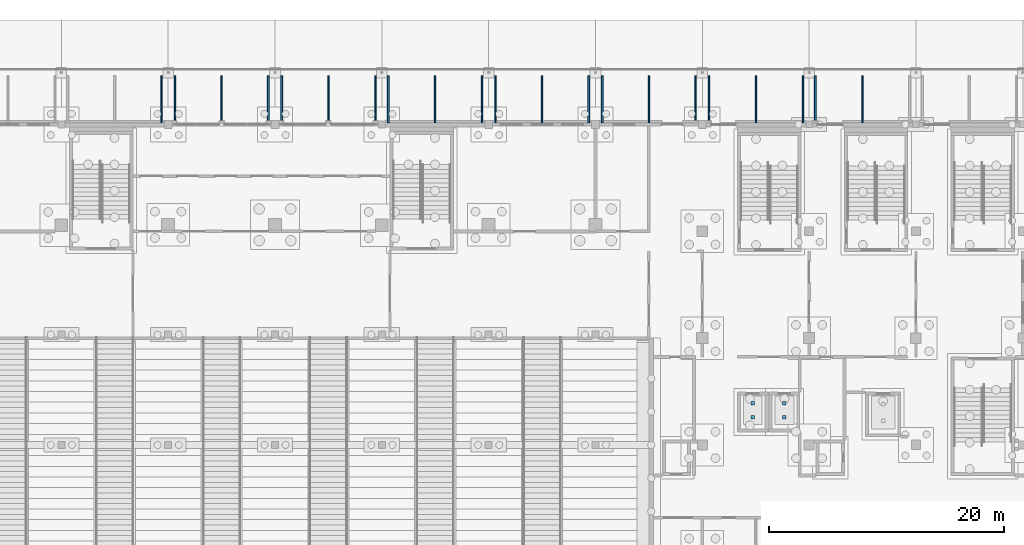
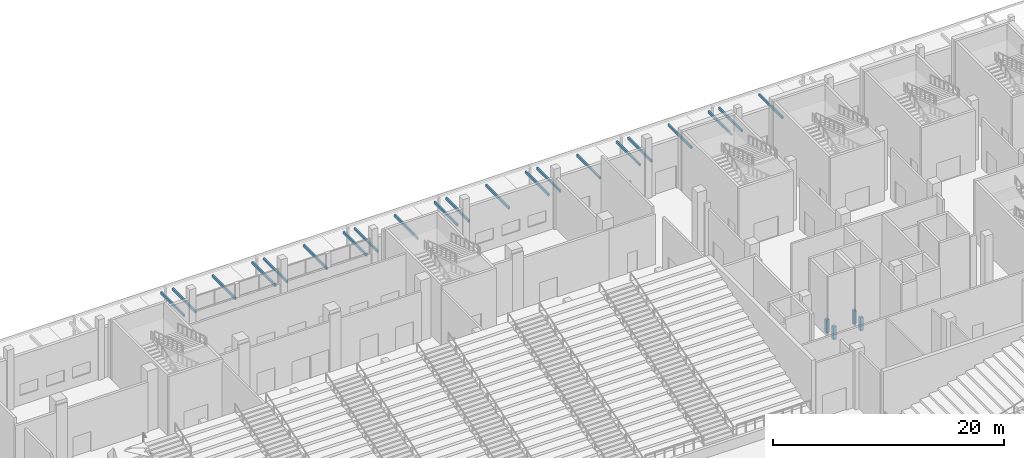
# One storey, part 98 of 129: 25 discrete accessories.
"""IFC4 building model written with IfcOpenShell, lengths in metres."""

from ifc_helpers import new_model, si_unit, direction, frame, origin, origin_2d, place, context, subcontext, project, spatial, rectangle, extrude, material, type_object, element, save


model = new_model("IFC4")

# Units and contexts
model_context = context("Model", 3, precision=1e-05, world=origin(), true_north=direction((0.0, 1.0)))
body_context = subcontext(model_context, "Body", "Model", "MODEL_VIEW")
ifc_project = project(units=[si_unit("LENGTHUNIT", "METRE"), si_unit("AREAUNIT", "SQUARE_METRE"), si_unit("VOLUMEUNIT", "CUBIC_METRE"), si_unit("PLANEANGLEUNIT", "RADIAN"), si_unit("MASSUNIT", "GRAM", prefix="KILO")], contexts=[model_context])

# Site, building, storey
site_placement = place(None, origin())
site = spatial("IfcSite", under=ifc_project, at=site_placement, CompositionType="ELEMENT")
building_placement = place(site_placement, origin())
building = spatial("IfcBuilding", under=site, at=building_placement, Name="Shirokan Park Arena", CompositionType="ELEMENT")
storey_placement = place(building_placement, origin())
storey = spatial("IfcBuildingStorey", under=building, at=storey_placement, Name="L00", CompositionType="ELEMENT", Elevation=0.0)

# Discrete accessories
ifc_material = material(Name="Steel S355", Category="steel")
discrete_accessory_type = type_object("IfcDiscreteAccessoryType", Name="Canopy bracket 150x250", PredefinedType="BRACKET", material=ifc_material)
for number, where, z_axis, x_axis, name in (
    (1, (122.85009765625, 111.35009765625, 3.35009765625), (0.0, 0.0, 1.0), (-1.0, 0.0, 0.0), "Canopy bracket north bay 3 2"),
    (2, (118.824951171875, 111.35009765625, 3.35009765625), (0.0, 0.0, 1.0), (-1.0, 0.0, 0.0), "Canopy bracket north bay 3 3"),
    (3, (117.77490234375, 111.35009765625, 3.35009765625), (0.0, 0.0, 1.0), (-1.0, 0.0, 0.0), "Canopy bracket north bay 4 1"),
    (4, (113.77490234375, 111.35009765625, 3.35009765625), (0.0, 0.0, 1.0), (-1.0, 0.0, 0.0), "Canopy bracket north bay 4 2"),
    (5, (109.77490234375, 111.35009765625, 3.35009765625), (0.0, 0.0, 1.0), (-1.0, 0.0, 0.0), "Canopy bracket north bay 4 3"),
    (6, (108.625, 111.35009765625, 3.35009765625), (0.0, 0.0, 1.0), (-1.0, 0.0, 0.0), "Canopy bracket north bay 5 1"),
    (7, (104.64990234375, 111.35009765625, 3.35009765625), (0.0, 0.0, 1.0), (-1.0, 0.0, 0.0), "Canopy bracket north bay 5 2"),
    (8, (100.675048828125, 111.35009765625, 3.35009765625), (0.0, 0.0, 1.0), (-1.0, 0.0, 0.0), "Canopy bracket north bay 5 3"),
    (9, (99.52490234375, 111.35009765625, 3.35009765625), (0.0, 0.0, 1.0), (-1.0, 0.0, 0.0), "Canopy bracket north bay 6 1"),
    (10, (95.550048828125, 111.35009765625, 3.35009765625), (0.0, 0.0, 1.0), (-1.0, 0.0, 0.0), "Canopy bracket north bay 6 2"),
    (11, (91.574951171875, 111.35009765625, 3.35009765625), (0.0, 0.0, 1.0), (-1.0, 0.0, 0.0), "Canopy bracket north bay 6 3"),
    (12, (90.425048828125, 111.35009765625, 3.35009765625), (0.0, 0.0, 1.0), (-1.0, 0.0, 0.0), "Canopy bracket north bay 7 1"),
    (13, (86.4375, 111.35009765625, 3.35009765625), (0.0, 0.0, 1.0), (-1.0, 0.0, 0.0), "Canopy bracket north bay 7 2"),
    (14, (82.449951171875, 111.35009765625, 3.35009765625), (0.0, 0.0, 1.0), (-1.0, 0.0, 0.0), "Canopy bracket north bay 7 3"),
    (15, (81.35009765625, 111.35009765625, 3.35009765625), (0.0, 0.0, 1.0), (-1.0, 0.0, 0.0), "Canopy bracket north bay 8 1"),
    (16, (77.362548828125, 111.35009765625, 3.35009765625), (0.0, 0.0, 1.0), (-1.0, 0.0, 0.0), "Canopy bracket north bay 8 2"),
    (17, (73.375, 111.35009765625, 3.35009765625), (0.0, 0.0, 1.0), (-1.0, 0.0, 0.0), "Canopy bracket north bay 8 3"),
    (18, (72.22509765625, 111.35009765625, 3.35009765625), (0.0, 0.0, 1.0), (-1.0, 0.0, 0.0), "Canopy bracket north bay 9 1"),
    (19, (68.25, 111.35009765625, 3.35009765625), (0.0, 0.0, 1.0), (-1.0, 0.0, 0.0), "Canopy bracket north bay 9 2"),
    (20, (64.27490234375, 111.35009765625, 3.35009765625), (0.0, 0.0, 1.0), (-1.0, 0.0, 0.0), "Canopy bracket north bay 9 3"),
    (21, (63.125, 111.35009765625, 3.35009765625), (0.0, 0.0, 1.0), (-1.0, 0.0, 0.0), "Canopy bracket north bay 10 1"),
):
    element("IfcDiscreteAccessory", number, at=place(storey_placement, frame(where, z_axis=z_axis, x_axis=x_axis)), inside=storey, type_object=discrete_accessory_type, Name=name, PredefinedType="BRACKET", context=body_context, shape_type="SweptSolid", body=[
        extrude(rectangle(XDim=0.14990234375, YDim=4.0, at=origin_2d()), origin(), (0.0, 0.0, 1.0), 0.25),
    ])
for number, where, z_axis, x_axis, name in (
    (22, (116.199951171875, 84.25, -1.39990234375), (0.0, 0.0, 1.0), (1.0, 0.0, 0.0), "Lift buffer Passenger Lift 3.1 1"),
    (23, (116.199951171875, 85.449951171875, -1.39990234375), (0.0, 0.0, 1.0), (1.0, 0.0, 0.0), "Lift buffer Passenger Lift 3.1 2"),
    (24, (113.5, 84.25, -1.39990234375), (0.0, 0.0, 1.0), (1.0, 0.0, 0.0), "Lift buffer Passenger Lift 3.2 1"),
    (25, (113.5, 85.449951171875, -1.39990234375), (0.0, 0.0, 1.0), (1.0, 0.0, 0.0), "Lift buffer Passenger Lift 3.2 2"),
):
    element("IfcDiscreteAccessory", number, at=place(storey_placement, frame(where, z_axis=z_axis, x_axis=x_axis)), inside=storey, Name=name, ObjectType="LIFT BUFFER", PredefinedType="USERDEFINED", context=body_context, shape_type="SweptSolid", body=[
        extrude(rectangle(XDim=0.300048828125, YDim=0.300048828125, at=origin_2d()), origin(), (0.0, 0.0, 1.0), 1.39990234375),
    ])

save(model, "model.ifc")
